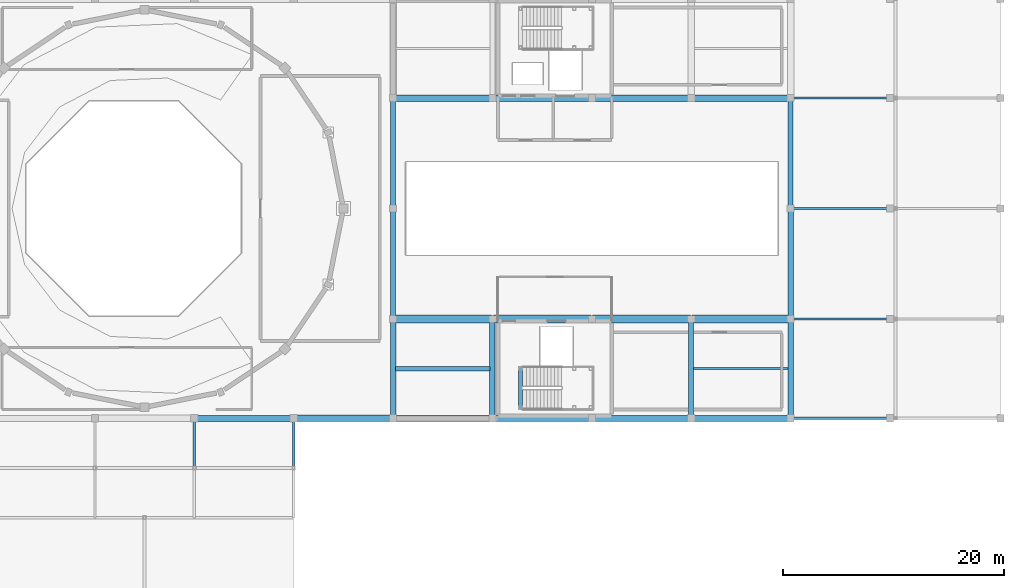
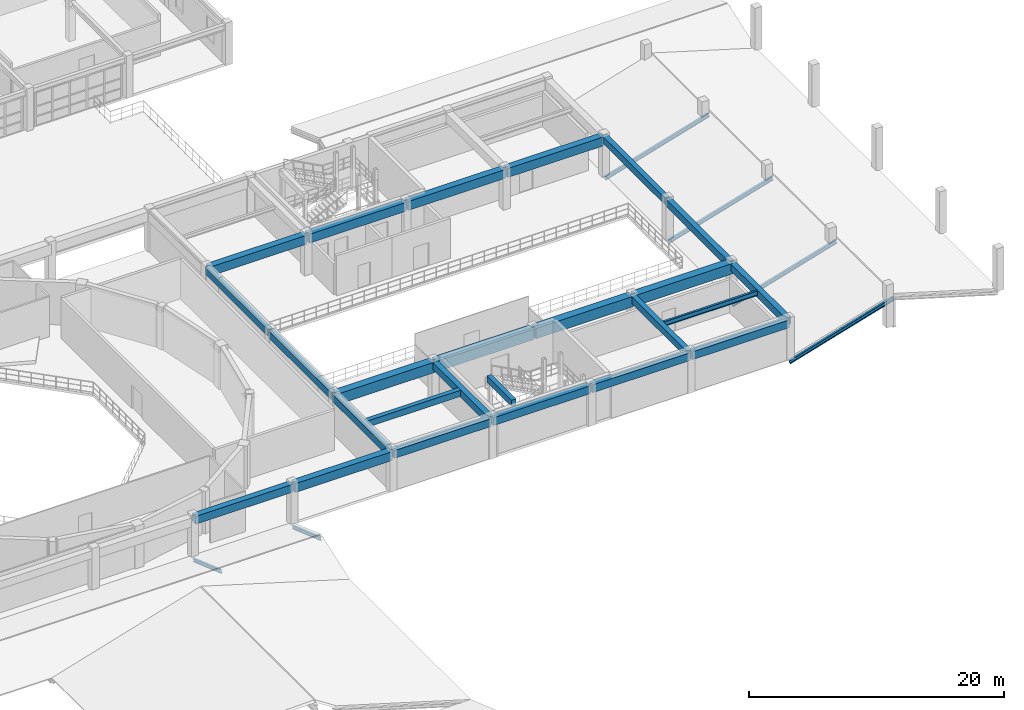
# One storey, part 32 of 80: 25 beams, 6 members.
"""IFC4 building model written with IfcOpenShell, lengths in metres."""

from ifc_helpers import new_model, si_unit, direction, frame, origin, origin_2d, place, context, subcontext, project, spatial, rectangle, i_section, extrude, material, material_profile, profile_set, type_object, element, save


model = new_model("IFC4")

# Units and contexts
model_context = context("Model", 3, precision=1e-05, world=origin(), true_north=direction((0.0, 1.0)))
body_context = subcontext(model_context, "Body", "Model", "MODEL_VIEW")
ifc_project = project(units=[si_unit("LENGTHUNIT", "METRE"), si_unit("AREAUNIT", "SQUARE_METRE"), si_unit("VOLUMEUNIT", "CUBIC_METRE"), si_unit("PLANEANGLEUNIT", "RADIAN"), si_unit("MASSUNIT", "GRAM", prefix="KILO")], contexts=[model_context])

# Site, building, storey
site_placement = place(None, origin())
site = spatial("IfcSite", under=ifc_project, at=site_placement, CompositionType="ELEMENT")
building_placement = place(site_placement, origin())
building = spatial("IfcBuilding", under=site, at=building_placement, Name="Miravela Opera House", CompositionType="ELEMENT")
storey_placement = place(building_placement, frame((0.0, 0.0, 17.679931640625)))
storey = spatial("IfcBuildingStorey", under=building, at=storey_placement, Name="L04", CompositionType="ELEMENT", Elevation=17.679931640625)

# Beams
ifc_material_1 = material(Name="Concrete C35/45", Category="concrete")
ifc_material_profile_1 = material_profile(ifc_material_1, rectangle(XDim=0.39990234375, YDim=0.60009765625, at=origin_2d()), Name="RC-BM-400X600")
ifc_profile_set_1 = profile_set([ifc_material_profile_1])
beam_type_1 = type_object("IfcBeamType", Name="STR-BM-RC400X600", PredefinedType="JOIST", material=ifc_profile_set_1)
beam_1_placement = place(storey_placement, frame((99.235107421875, 41.5, 3.5400390625), z_axis=(1.0, 0.0, 0.0), x_axis=(0.0, 1.0, 0.0)))
element("IfcBeam", 1, at=beam_1_placement, inside=storey, type_object=beam_type_1, Name="Secondary Floor Joist L04 12-13/E-F", PredefinedType="JOIST", context=body_context, shape_type="SweptSolid", body=[
    extrude(rectangle(XDim=0.39990234375, YDim=0.60009765625, at=origin_2d()), origin(), (0.0, 0.0, 1.0), 8.52978515625),
])
beam_2_placement = place(storey_placement, frame((110.5400390625, 37.800048828125, 3.780029296875), z_axis=(0.0, 1.0, 0.0), x_axis=(-1.0, 0.0, 0.0)))
element("IfcBeam", 2, at=beam_2_placement, inside=storey, type_object=beam_type_1, Name="Stair K4 Opening Header Trimmer Beam 05", PredefinedType="JOIST", context=body_context, shape_type="SweptSolid", body=[
    extrude(rectangle(XDim=0.39990234375, YDim=0.60009765625, at=origin_2d()), origin(), (0.0, 0.0, 1.0), 3.8798828125),
])
ifc_material_profile_2 = material_profile(ifc_material_1, rectangle(XDim=0.449951171875, YDim=0.64990234375, at=origin_2d()), Name="RC-BM-450X650")
ifc_profile_set_2 = profile_set([ifc_material_profile_2])
beam_type_2 = type_object("IfcBeamType", Name="STR-BM-RC450X650", PredefinedType="BEAM", material=ifc_profile_set_2)
beam_3_placement = place(storey_placement, frame((99.0, 56.080078125, 3.51513671875), z_axis=(0.0, 1.0, 0.0), x_axis=(-1.0, 0.0, 0.0)))
element("IfcBeam", 3, at=beam_3_placement, inside=storey, type_object=beam_type_2, Name="Floor Girder L04 12/G-H", PredefinedType="BEAM", context=body_context, shape_type="SweptSolid", body=[
    extrude(rectangle(XDim=0.449951171875, YDim=0.64990234375, at=origin_2d()), origin(), (0.0, 0.0, 1.0), 9.83984375),
])
beam_4_placement = place(storey_placement, frame((126.0, 37.080078125, 3.51513671875), z_axis=(0.0, 1.0, 0.0), x_axis=(-1.0, 0.0, 0.0)))
element("IfcBeam", 4, at=beam_4_placement, inside=storey, type_object=beam_type_2, Name="Floor Girder L04 15/E-F", PredefinedType="BEAM", context=body_context, shape_type="SweptSolid", body=[
    extrude(rectangle(XDim=0.449951171875, YDim=0.64990234375, at=origin_2d()), origin(), (0.0, 0.0, 1.0), 8.83984375),
])
beam_5_placement = place(storey_placement, frame((135.0, 56.080078125, 3.51513671875), z_axis=(0.0, 1.0, 0.0), x_axis=(-1.0, 0.0, 0.0)))
element("IfcBeam", 5, at=beam_5_placement, inside=storey, type_object=beam_type_2, Name="Floor Girder L04 16/G-H", PredefinedType="BEAM", context=body_context, shape_type="SweptSolid", body=[
    extrude(rectangle(XDim=0.449951171875, YDim=0.64990234375, at=origin_2d()), origin(), (0.0, 0.0, 1.0), 9.83984375),
])
ifc_material_profile_3 = material_profile(ifc_material_1, rectangle(XDim=0.47998046875, YDim=0.679931640625, at=origin_2d()), Name="RC-BM-480X680")
ifc_profile_set_3 = profile_set([ifc_material_profile_3])
beam_type_3 = type_object("IfcBeamType", Name="STR-BM-RC480X680", PredefinedType="BEAM", material=ifc_profile_set_3)
for number, where, z_axis, x_axis, name in (
    (6, (99.0, 46.080078125, 3.5), (0.0, 1.0, 0.0), (-1.0, 0.0, 0.0), "Floor Girder L04 12/F-G"),
    (7, (135.0, 46.080078125, 3.5), (0.0, 1.0, 0.0), (-1.0, 0.0, 0.0), "Floor Girder L04 16/F-G"),
):
    element("IfcBeam", number, at=place(storey_placement, frame(where, z_axis=z_axis, x_axis=x_axis)), inside=storey, type_object=beam_type_3, Name=name, PredefinedType="BEAM", context=body_context, shape_type="SweptSolid", body=[
        extrude(rectangle(XDim=0.47998046875, YDim=0.679931640625, at=origin_2d()), origin(), (0.0, 0.0, 1.0), 9.83984375),
    ])
ifc_material_profile_4 = material_profile(ifc_material_1, rectangle(XDim=0.5, YDim=0.699951171875, at=origin_2d()), Name="RC-BM-500X700")
ifc_profile_set_4 = profile_set([ifc_material_profile_4])
beam_type_4 = type_object("IfcBeamType", Name="STR-BM-RC500X700", PredefinedType="BEAM", material=ifc_profile_set_4)
for number, where, z_axis, x_axis, name in (
    (8, (99.0, 37.080078125, 3.489990234375), (0.0, 1.0, 0.0), (-1.0, 0.0, 0.0), "Floor Girder L04 12/E-F"),
    (9, (108.0, 37.080078125, 3.489990234375), (0.0, 1.0, 0.0), (-1.0, 0.0, 0.0), "Floor Girder L04 13/E-F"),
    (10, (135.0, 37.080078125, 3.489990234375), (0.0, 1.0, 0.0), (-1.0, 0.0, 0.0), "Floor Girder L04 16/E-F"),
):
    element("IfcBeam", number, at=place(storey_placement, frame(where, z_axis=z_axis, x_axis=x_axis)), inside=storey, type_object=beam_type_4, Name=name, PredefinedType="BEAM", context=body_context, shape_type="SweptSolid", body=[
        extrude(rectangle(XDim=0.5, YDim=0.699951171875, at=origin_2d()), origin(), (0.0, 0.0, 1.0), 8.83984375),
    ])
ifc_material_profile_5 = material_profile(ifc_material_1, rectangle(XDim=0.550048828125, YDim=0.75, at=origin_2d()), Name="RC-BM-550X750")
ifc_profile_set_5 = profile_set([ifc_material_profile_5])
beam_type_5 = type_object("IfcBeamType", Name="STR-BM-RC550X750", PredefinedType="BEAM", material=ifc_profile_set_5)
for number, where, z_axis, x_axis, name in (
    (11, (81.080078125, 37.0, 3.465087890625), (1.0, 0.0, 0.0), (0.0, 1.0, 0.0), "Floor Girder L04 10-11/E"),
    (12, (99.080078125, 37.0, 3.465087890625), (1.0, 0.0, 0.0), (0.0, 1.0, 0.0), "Floor Girder L04 12-13/E"),
    (13, (108.080078125, 37.0, 3.465087890625), (1.0, 0.0, 0.0), (0.0, 1.0, 0.0), "Floor Girder L04 13-14/E"),
    (14, (117.080078125, 37.0, 3.465087890625), (1.0, 0.0, 0.0), (0.0, 1.0, 0.0), "Floor Girder L04 14-15/E"),
    (15, (126.080078125, 37.0, 3.465087890625), (1.0, 0.0, 0.0), (0.0, 1.0, 0.0), "Floor Girder L04 15-16/E"),
):
    element("IfcBeam", number, at=place(storey_placement, frame(where, z_axis=z_axis, x_axis=x_axis)), inside=storey, type_object=beam_type_5, Name=name, PredefinedType="BEAM", context=body_context, shape_type="SweptSolid", body=[
        extrude(rectangle(XDim=0.550048828125, YDim=0.75, at=origin_2d()), origin(), (0.0, 0.0, 1.0), 8.83984375),
    ])
ifc_material_2 = material(Name="Concrete C40/50", Category="concrete")
ifc_material_profile_6 = material_profile(ifc_material_2, rectangle(XDim=0.60009765625, YDim=0.85009765625, at=origin_2d()), Name="RC-BM-600X850")
ifc_profile_set_6 = profile_set([ifc_material_profile_6])
beam_type_6 = type_object("IfcBeamType", Name="STR-BM-RC600X850", PredefinedType="BEAM", material=ifc_profile_set_6)
for number, where, z_axis, x_axis, name in (
    (16, (90.080078125, 37.0, 3.4150390625), (1.0, 0.0, 0.0), (0.0, 1.0, 0.0), "Floor Girder L04 11-12/E"),
    (17, (99.080078125, 66.0, 3.4150390625), (1.0, 0.0, 0.0), (0.0, 1.0, 0.0), "Floor Girder L04 12-13/H"),
    (18, (108.080078125, 66.0, 3.4150390625), (1.0, 0.0, 0.0), (0.0, 1.0, 0.0), "Floor Girder L04 13-14/H"),
    (19, (117.080078125, 66.0, 3.4150390625), (1.0, 0.0, 0.0), (0.0, 1.0, 0.0), "Floor Girder L04 14-15/H"),
    (20, (126.080078125, 66.0, 3.4150390625), (1.0, 0.0, 0.0), (0.0, 1.0, 0.0), "Floor Girder L04 15-16/H"),
):
    element("IfcBeam", number, at=place(storey_placement, frame(where, z_axis=z_axis, x_axis=x_axis)), inside=storey, type_object=beam_type_6, Name=name, PredefinedType="BEAM", context=body_context, shape_type="SweptSolid", body=[
        extrude(rectangle(XDim=0.60009765625, YDim=0.85009765625, at=origin_2d()), origin(), (0.0, 0.0, 1.0), 8.83984375),
    ])
ifc_material_profile_7 = material_profile(ifc_material_2, rectangle(XDim=0.699951171875, YDim=1.0, at=origin_2d()), Name="RC-BM-700X1000")
ifc_profile_set_7 = profile_set([ifc_material_profile_7])
beam_type_7 = type_object("IfcBeamType", Name="STR-BM-RC700X1000", PredefinedType="BEAM", material=ifc_profile_set_7)
for number, where, z_axis, x_axis, name in (
    (21, (99.080078125, 46.0, 3.340087890625), (1.0, 0.0, 0.0), (0.0, 1.0, 0.0), "Floor Girder L04 12-13/F"),
    (22, (108.080078125, 46.0, 3.340087890625), (1.0, 0.0, 0.0), (0.0, 1.0, 0.0), "Floor Girder L04 13-14/F"),
    (23, (117.080078125, 46.0, 3.340087890625), (1.0, 0.0, 0.0), (0.0, 1.0, 0.0), "Floor Girder L04 14-15/F"),
    (24, (126.080078125, 46.0, 3.340087890625), (1.0, 0.0, 0.0), (0.0, 1.0, 0.0), "Floor Girder L04 15-16/F"),
):
    element("IfcBeam", number, at=place(storey_placement, frame(where, z_axis=z_axis, x_axis=x_axis)), inside=storey, type_object=beam_type_7, Name=name, PredefinedType="BEAM", context=body_context, shape_type="SweptSolid", body=[
        extrude(rectangle(XDim=0.699951171875, YDim=1.0, at=origin_2d()), origin(), (0.0, 0.0, 1.0), 8.83984375),
    ])
ifc_material_3 = material(Name="Structural steel ASTM A992 Gr. 50", Category="steel")
ifc_material_profile_8 = material_profile(ifc_material_3, i_section(OverallWidth=0.19091796875, OverallDepth=0.4599609375, WebThickness=0.010009765625, FlangeThickness=0.01611328125, FilletRadius=0.014892578125, at=origin_2d()), Name="W460X82")
ifc_profile_set_8 = profile_set([ifc_material_profile_8])
beam_type_8 = type_object("IfcBeamType", Name="STR-BM-W460X82", PredefinedType="JOIST", material=ifc_profile_set_8)
beam_6_placement = place(storey_placement, frame((126.2099609375, 41.5, 3.610107421875), z_axis=(1.0, 0.0, 0.0), x_axis=(0.0, 1.0, 0.0)))
element("IfcBeam", 25, at=beam_6_placement, inside=storey, type_object=beam_type_8, Name="Secondary Floor Joist L04 15-16/E-F", PredefinedType="JOIST", context=body_context, shape_type="SweptSolid", body=[
    extrude(i_section(OverallWidth=0.19091796875, OverallDepth=0.4599609375, WebThickness=0.010009765625, FlangeThickness=0.01611328125, FilletRadius=0.014892578125, at=origin_2d()), origin(), (0.0, 0.0, 1.0), 8.554931640625),
])

# Members
ifc_material_profile_9 = material_profile(ifc_material_3, i_section(OverallWidth=0.2041015625, OverallDepth=0.35009765625, WebThickness=0.008544921875, FlangeThickness=0.01513671875, FilletRadius=0.013916015625, at=origin_2d()), Name="W360X72")
ifc_profile_set_9 = profile_set([ifc_material_profile_9])
member_type_1 = type_object("IfcMemberType", Name="STR-MEM-RAFTER-1", PredefinedType="RAFTER", material=ifc_profile_set_9)
for number, where, z_axis, x_axis, name in (
    (26, (135.050048828125, 37.0, -0.39990234375), (0.958519352545, 0.0, 0.285027456217), (0.0, 1.0, 0.0), "Pitched Roof Rafter ROOF-V2-REAR W0"),
    (27, (135.050048828125, 46.0, -0.39990234375), (0.958519352545, 0.0, 0.285027456217), (0.0, 1.0, 0.0), "Pitched Roof Rafter ROOF-V2-REAR W1"),
    (28, (135.050048828125, 56.0, -0.39990234375), (0.958519352545, 0.0, 0.285027456217), (0.0, 1.0, 0.0), "Pitched Roof Rafter ROOF-V2-REAR W2"),
    (29, (135.050048828125, 66.0, -0.39990234375), (0.958519352545, 0.0, 0.285027456217), (0.0, 1.0, 0.0), "Pitched Roof Rafter ROOF-V2-REAR W3"),
):
    element("IfcMember", number, at=place(storey_placement, frame(where, z_axis=z_axis, x_axis=x_axis)), inside=storey, type_object=member_type_1, Name=name, PredefinedType="RAFTER", context=body_context, shape_type="SweptSolid", body=[
        extrude(i_section(OverallWidth=0.2041015625, OverallDepth=0.35009765625, WebThickness=0.008544921875, FlangeThickness=0.01513671875, FilletRadius=0.013916015625, at=origin_2d()), origin(), (0.0, 0.0, 1.0), 9.85888671875),
    ])
ifc_material_profile_10 = material_profile(ifc_material_3, i_section(OverallWidth=0.202880859375, OverallDepth=0.302978515625, WebThickness=0.007568359375, FlangeThickness=0.01318359375, FilletRadius=0.012939453125, at=origin_2d()), Name="W310X60")
ifc_profile_set_10 = profile_set([ifc_material_profile_10])
member_type_2 = type_object("IfcMemberType", Name="STR-MEM-RAFTER-2", PredefinedType="RAFTER", material=ifc_profile_set_10)
for number, where, z_axis, x_axis, name in (
    (30, (81.0, 36.949951171875, -0.39990234375), (0.0, -0.943687918104, 0.3308369889), (1.0, 0.0, 0.0), "Pitched Roof Rafter ROOF-V4-WEST-N N7"),
    (31, (90.0, 36.949951171875, -0.39990234375), (0.0, -0.943687918104, 0.3308369889), (1.0, 0.0, 0.0), "Pitched Roof Rafter ROOF-V4-WEST-N N8"),
):
    element("IfcMember", number, at=place(storey_placement, frame(where, z_axis=z_axis, x_axis=x_axis)), inside=storey, type_object=member_type_2, Name=name, PredefinedType="RAFTER", context=body_context, shape_type="SweptSolid", body=[
        extrude(i_section(OverallWidth=0.202880859375, OverallDepth=0.302978515625, WebThickness=0.007568359375, FlangeThickness=0.01318359375, FilletRadius=0.012939453125, at=origin_2d()), origin(), (0.0, 0.0, 1.0), 4.715576171875),
    ])

save(model, "model.ifc")
